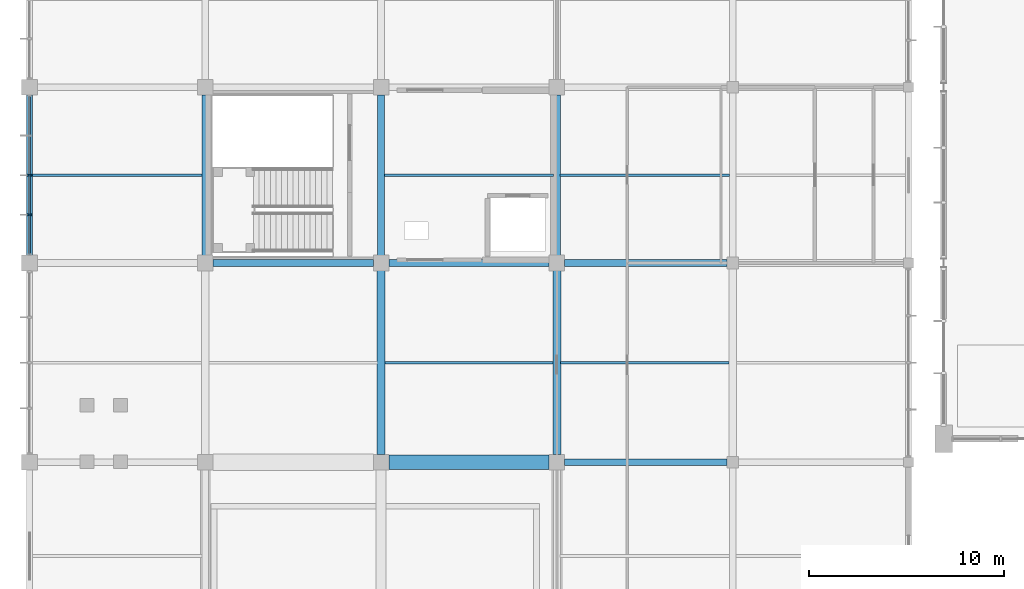
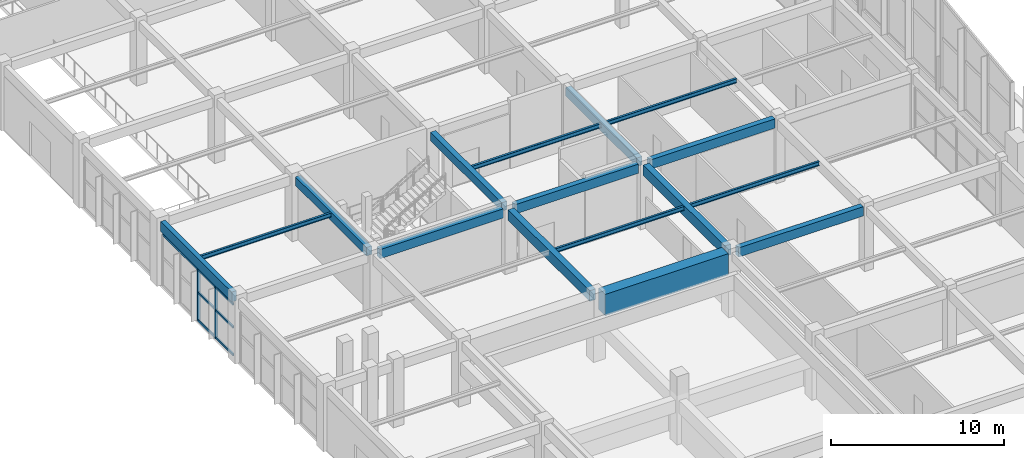
# One storey, part 19 of 82: 16 beams, 7 members, 1 element without a shape of its own.
"""IFC4 building model written with IfcOpenShell, lengths in metres."""

from ifc_helpers import new_model, si_unit, direction, frame, origin, origin_2d, place, context, subcontext, project, spatial, rectangle, i_section, extrude, material, material_profile, profile_set, type_object, element, aggregate, save


model = new_model("IFC4")

# Units and contexts
model_context = context("Model", 3, precision=1e-05, world=origin(), true_north=direction((0.0, 1.0)))
body_context = subcontext(model_context, "Body", "Model", "MODEL_VIEW")
ifc_project = project(units=[si_unit("LENGTHUNIT", "METRE"), si_unit("AREAUNIT", "SQUARE_METRE"), si_unit("VOLUMEUNIT", "CUBIC_METRE"), si_unit("PLANEANGLEUNIT", "RADIAN"), si_unit("MASSUNIT", "GRAM", prefix="KILO")], contexts=[model_context])

# Site, building, storey
site_placement = place(None, origin())
site = spatial("IfcSite", under=ifc_project, at=site_placement, CompositionType="ELEMENT")
building_placement = place(site_placement, origin())
building = spatial("IfcBuilding", under=site, at=building_placement, Name="Suirenkawa Promenade Aquatics Centre", CompositionType="ELEMENT")
storey_placement = place(building_placement, origin())
storey = spatial("IfcBuildingStorey", under=building, at=storey_placement, Name="L00", CompositionType="ELEMENT", Elevation=0.0)

# Beams
ifc_material_1 = material(Name="Steel IS 2062 E350 (Grade 350)", Category="steel")
ifc_material_profile_1 = material_profile(ifc_material_1, i_section(OverallWidth=0.139892578125, OverallDepth=0.300048828125, WebThickness=0.008056640625, FlangeThickness=0.012939453125, at=origin_2d()), Name="ISMB 300", Category="steel")
ifc_profile_set_1 = profile_set([ifc_material_profile_1], Name="Steel IS 2062 E350 (Grade 350)")
beam_type_1 = type_object("IfcBeamType", Name="BT-JOIST-ISMB300", PredefinedType="JOIST", material=ifc_profile_set_1)
beam_1_placement = place(storey_placement, frame((0.14404296875, 63.89990234375, 4.347900390625), z_axis=(1.0, 0.0, 0.0), x_axis=(0.0, 1.0, 0.0)))
element("IfcBeam", 1, at=beam_1_placement, inside=storey, type_object=beam_type_1, Name="Secondary floor joist JS-02 BM-0338", PredefinedType="JOIST", context=body_context, shape_type="SweptSolid", body=[
    extrude(i_section(OverallWidth=0.139892578125, OverallDepth=0.300048828125, WebThickness=0.008056640625, FlangeThickness=0.012939453125, at=origin_2d()), origin(), (0.0, 0.0, 1.0), 8.68701171875),
])
beam_2_placement = place(storey_placement, frame((18.194091796875, 54.300048828125, 4.347900390625), z_axis=(1.0, 0.0, 0.0), x_axis=(0.0, 1.0, 0.0)))
element("IfcBeam", 2, at=beam_2_placement, inside=storey, type_object=beam_type_1, Name="Secondary floor joist JS-02 BM-0355", PredefinedType="JOIST", context=body_context, shape_type="SweptSolid", body=[
    extrude(i_section(OverallWidth=0.139892578125, OverallDepth=0.300048828125, WebThickness=0.008056640625, FlangeThickness=0.012939453125, at=origin_2d()), origin(), (0.0, 0.0, 1.0), 8.61181640625),
])
beam_3_placement = place(storey_placement, frame((18.1689453125, 63.89990234375, 4.347900390625), z_axis=(1.0, 0.0, 0.0), x_axis=(0.0, 1.0, 0.0)))
element("IfcBeam", 3, at=beam_3_placement, inside=storey, type_object=beam_type_1, Name="Secondary floor joist JS-02 BM-0356", PredefinedType="JOIST", context=body_context, shape_type="SweptSolid", body=[
    extrude(i_section(OverallWidth=0.139892578125, OverallDepth=0.300048828125, WebThickness=0.008056640625, FlangeThickness=0.012939453125, at=origin_2d()), origin(), (0.0, 0.0, 1.0), 8.662109375),
])
beam_4_placement = place(storey_placement, frame((27.194091796875, 54.300048828125, 4.347900390625), z_axis=(1.0, 0.0, 0.0), x_axis=(0.0, 1.0, 0.0)))
element("IfcBeam", 4, at=beam_4_placement, inside=storey, type_object=beam_type_1, Name="Secondary floor joist JS-02 BM-0367", PredefinedType="JOIST", context=body_context, shape_type="SweptSolid", body=[
    extrude(i_section(OverallWidth=0.139892578125, OverallDepth=0.300048828125, WebThickness=0.008056640625, FlangeThickness=0.012939453125, at=origin_2d()), origin(), (0.0, 0.0, 1.0), 8.61181640625),
])
beam_5_placement = place(storey_placement, frame((27.1689453125, 63.89990234375, 4.347900390625), z_axis=(1.0, 0.0, 0.0), x_axis=(0.0, 1.0, 0.0)))
element("IfcBeam", 5, at=beam_5_placement, inside=storey, type_object=beam_type_1, Name="Secondary floor joist JS-02 BM-0368", PredefinedType="JOIST", context=body_context, shape_type="SweptSolid", body=[
    extrude(i_section(OverallWidth=0.139892578125, OverallDepth=0.300048828125, WebThickness=0.008056640625, FlangeThickness=0.012939453125, at=origin_2d()), origin(), (0.0, 0.0, 1.0), 8.662109375),
])
ifc_material_2 = material(Name="Concrete M35", Category="concrete")
ifc_material_profile_2 = material_profile(ifc_material_2, rectangle(XDim=0.35009765625, YDim=0.60009765625, at=origin_2d()), Name="RC BM 350x600", Category="concrete")
ifc_profile_set_2 = profile_set([ifc_material_profile_2], Name="Concrete M35")
beam_type_2 = type_object("IfcBeamType", Name="BT-RC-350x600", PredefinedType="BEAM", material=ifc_profile_set_2)
for number, where, z_axis, x_axis, name in (
    (6, (9.0, 59.7939453125, 4.199951171875), (0.0, 1.0, 0.0), (-1.0, 0.0, 0.0), "Floor beam BM-02 BM-0280"),
    (7, (18.0, 59.7939453125, 4.199951171875), (0.0, 1.0, 0.0), (-1.0, 0.0, 0.0), "Floor beam BM-02 BM-0290"),
    (8, (27.0, 59.7939453125, 4.199951171875), (0.0, 1.0, 0.0), (-1.0, 0.0, 0.0), "Floor beam BM-02 BM-0302"),
):
    element("IfcBeam", number, at=place(storey_placement, frame(where, z_axis=z_axis, x_axis=x_axis)), inside=storey, type_object=beam_type_2, Name=name, PredefinedType="BEAM", context=body_context, shape_type="SweptSolid", body=[
        extrude(rectangle(XDim=0.35009765625, YDim=0.60009765625, at=origin_2d()), origin(), (0.0, 0.0, 1.0), 8.212158203125),
    ])
ifc_material_profile_3 = material_profile(ifc_material_2, rectangle(XDim=0.35009765625, YDim=0.64990234375, at=origin_2d()), Name="RC BM 350x650", Category="concrete")
ifc_profile_set_3 = profile_set([ifc_material_profile_3], Name="Concrete M35")
beam_type_3 = type_object("IfcBeamType", Name="BT-RC-350x650", PredefinedType="BEAM", material=ifc_profile_set_3)
beam_6_placement = place(storey_placement, frame((27.39404296875, 49.199951171875, 4.175048828125), z_axis=(1.0, 0.0, 0.0), x_axis=(0.0, 1.0, 0.0)))
element("IfcBeam", 9, at=beam_6_placement, inside=storey, type_object=beam_type_3, Name="Floor beam BM-03 BM-0225", PredefinedType="BEAM", context=body_context, shape_type="SweptSolid", body=[
    extrude(rectangle(XDim=0.35009765625, YDim=0.64990234375, at=origin_2d()), origin(), (0.0, 0.0, 1.0), 8.31201171875),
])
for number, where, z_axis, x_axis, name in (
    (10, (9.39404296875, 59.39990234375, 4.175048828125), (1.0, 0.0, 0.0), (0.0, 1.0, 0.0), "Floor beam BM-03 BM-0228"),
    (11, (18.39404296875, 59.39990234375, 4.175048828125), (1.0, 0.0, 0.0), (0.0, 1.0, 0.0), "Floor beam BM-03 BM-0229"),
):
    element("IfcBeam", number, at=place(storey_placement, frame(where, z_axis=z_axis, x_axis=x_axis)), inside=storey, type_object=beam_type_3, Name=name, PredefinedType="BEAM", context=body_context, shape_type="SweptSolid", body=[
        extrude(rectangle(XDim=0.35009765625, YDim=0.64990234375, at=origin_2d()), origin(), (0.0, 0.0, 1.0), 8.2119140625),
    ])
beam_7_placement = place(storey_placement, frame((27.39404296875, 59.39990234375, 4.175048828125), z_axis=(1.0, 0.0, 0.0), x_axis=(0.0, 1.0, 0.0)))
element("IfcBeam", 12, at=beam_7_placement, inside=storey, type_object=beam_type_3, Name="Floor beam BM-03 BM-0230", PredefinedType="BEAM", context=body_context, shape_type="SweptSolid", body=[
    extrude(rectangle(XDim=0.35009765625, YDim=0.64990234375, at=origin_2d()), origin(), (0.0, 0.0, 1.0), 8.31201171875),
])
ifc_material_3 = material(Name="Concrete M40", Category="concrete")
ifc_material_profile_4 = material_profile(ifc_material_3, rectangle(XDim=0.39990234375, YDim=0.75, at=origin_2d()), Name="RC BM 400x750", Category="concrete")
ifc_profile_set_4 = profile_set([ifc_material_profile_4], Name="Concrete M40")
beam_type_4 = type_object("IfcBeamType", Name="BT-RC-400x750", PredefinedType="BEAM", material=ifc_profile_set_4)
for number, where, z_axis, x_axis, name in (
    (13, (18.0, 49.593994140625, 4.125), (0.0, 1.0, 0.0), (-1.0, 0.0, 0.0), "Floor beam BM-05 BM-0289"),
    (14, (27.0, 49.593994140625, 4.125), (0.0, 1.0, 0.0), (-1.0, 0.0, 0.0), "Floor beam BM-05 BM-0301"),
):
    element("IfcBeam", number, at=place(storey_placement, frame(where, z_axis=z_axis, x_axis=x_axis)), inside=storey, type_object=beam_type_4, Name=name, PredefinedType="BEAM", context=body_context, shape_type="SweptSolid", body=[
        extrude(rectangle(XDim=0.39990234375, YDim=0.75, at=origin_2d()), origin(), (0.0, 0.0, 1.0), 9.412109375),
    ])
ifc_material_profile_5 = material_profile(ifc_material_3, rectangle(XDim=0.300048828125, YDim=0.699951171875, at=origin_2d()), Name="RC SPANDREL 300x700", Category="concrete")
ifc_profile_set_5 = profile_set([ifc_material_profile_5], Name="Concrete M40")
beam_type_5 = type_object("IfcBeamType", Name="BT-SPANDREL-300x700", PredefinedType="SPANDREL", material=ifc_profile_set_5)
beam_8_placement = place(storey_placement, frame((0.0, 59.7939453125, 4.14990234375), z_axis=(0.0, 1.0, 0.0), x_axis=(-1.0, 0.0, 0.0)))
element("IfcBeam", 15, at=beam_8_placement, inside=storey, type_object=beam_type_5, Name="Floor beam SP-01 BM-0268", PredefinedType="SPANDREL", context=body_context, shape_type="SweptSolid", body=[
    extrude(rectangle(XDim=0.300048828125, YDim=0.699951171875, at=origin_2d()), origin(), (0.0, 0.0, 1.0), 8.212158203125),
])
ifc_material_profile_6 = material_profile(ifc_material_3, rectangle(XDim=0.75, YDim=1.5, at=origin_2d()), Name="RC TRANSFER 750x1500", Category="concrete")
ifc_profile_set_6 = profile_set([ifc_material_profile_6], Name="Concrete M40")
beam_type_6 = type_object("IfcBeamType", Name="BT-TRANSFER-750x1500", PredefinedType="BEAM", material=ifc_profile_set_6)
beam_9_placement = place(storey_placement, frame((18.39404296875, 49.199951171875, 3.75), z_axis=(1.0, 0.0, 0.0), x_axis=(0.0, 1.0, 0.0)))
element("IfcBeam", 16, at=beam_9_placement, inside=storey, type_object=beam_type_6, Name="Floor beam TG-01 BM-0224", PredefinedType="BEAM", context=body_context, shape_type="SweptSolid", body=[
    extrude(rectangle(XDim=0.75, YDim=1.5, at=origin_2d()), origin(), (0.0, 0.0, 1.0), 8.2119140625),
])

# Curtain wall, members
ifc_material_4 = material(Name="Anodised aluminium 6063-T6", Category="aluminium")
curtain_wall_type = type_object("IfcCurtainWallType", Name="CWAT-V5WL00-42", PredefinedType="NOTDEFINED", material=ifc_material_4)
curtain_wall_placement = place(storey_placement, origin())
curtain_wall = element("IfcCurtainWall", 17, at=curtain_wall_placement, inside=storey, type_object=curtain_wall_type, Name="Curtain wall CWA-42 CW-092", PredefinedType="NOTDEFINED")
ifc_material_profile_7 = material_profile(ifc_material_4, rectangle(XDim=0.094970703125, YDim=0.18994140625, at=origin_2d()), Name="ALU MULL 95x190", Category="aluminium")
ifc_profile_set_7 = profile_set([ifc_material_profile_7], Name="Anodised aluminium 6063-T6")
member_type_1 = type_object("IfcMemberType", Name="CWM-190x95", PredefinedType="MULLION", material=ifc_profile_set_7)
member_1_placement = place(storey_placement, frame((0.0, 61.87451171875, 0.0), z_axis=(0.0, 0.0, 1.0), x_axis=(0.0, 1.0, 0.0)))
member_1 = element("IfcMember", 18, at=member_1_placement, type_object=member_type_1, Name="Mullion ML-02 CWM-01819", PredefinedType="MULLION", context=body_context, shape_type="SweptSolid", body=[
    extrude(rectangle(XDim=0.094970703125, YDim=0.18994140625, at=origin_2d()), origin(), (0.0, 0.0, 1.0), 3.570068359375),
])
member_2_placement = place(storey_placement, frame((0.0, 63.89990234375, 0.0), z_axis=(0.0, 0.0, 1.0), x_axis=(0.0, 1.0, 0.0)))
member_2 = element("IfcMember", 19, at=member_2_placement, type_object=member_type_1, Name="Mullion ML-02 CWM-01820", PredefinedType="MULLION", context=body_context, shape_type="SweptSolid", body=[
    extrude(rectangle(XDim=0.094970703125, YDim=0.18994140625, at=origin_2d()), origin(), (0.0, 0.0, 1.0), 3.570068359375),
])
ifc_material_profile_8 = material_profile(ifc_material_4, rectangle(XDim=0.094970703125, YDim=0.14990234375, at=origin_2d()), Name="ALU TRAN 95x150", Category="aluminium")
ifc_profile_set_8 = profile_set([ifc_material_profile_8], Name="Anodised aluminium 6063-T6")
member_type_2 = type_object("IfcMemberType", Name="CWT-150x95", PredefinedType="USERDEFINED", material=ifc_profile_set_8)
member_3_placement = place(storey_placement, frame((0.0, 59.84912109375, 0.0), z_axis=(0.0, 1.0, 0.0), x_axis=(-1.0, 0.0, 0.0)))
member_3 = element("IfcMember", 20, at=member_3_placement, type_object=member_type_2, Name="Transom TR-02 CWT-01823", ObjectType="TRANSOM", PredefinedType="USERDEFINED", context=body_context, shape_type="SweptSolid", body=[
    extrude(rectangle(XDim=0.094970703125, YDim=0.14990234375, at=origin_2d()), origin(), (0.0, 0.0, 1.0), 2.025390625),
])
member_4_placement = place(storey_placement, frame((0.0, 61.87451171875, 0.0), z_axis=(0.0, 1.0, 0.0), x_axis=(-1.0, 0.0, 0.0)))
member_4 = element("IfcMember", 21, at=member_4_placement, type_object=member_type_2, Name="Transom TR-02 CWT-01824", ObjectType="TRANSOM", PredefinedType="USERDEFINED", context=body_context, shape_type="SweptSolid", body=[
    extrude(rectangle(XDim=0.094970703125, YDim=0.14990234375, at=origin_2d()), origin(), (0.0, 0.0, 1.0), 2.025390625),
])
member_5_placement = place(storey_placement, frame((0.0, 59.84912109375, 1.949951171875), z_axis=(0.0, 1.0, 0.0), x_axis=(-1.0, 0.0, 0.0)))
member_5 = element("IfcMember", 22, at=member_5_placement, type_object=member_type_2, Name="Transom TR-02 CWT-01827", ObjectType="TRANSOM", PredefinedType="USERDEFINED", context=body_context, shape_type="SweptSolid", body=[
    extrude(rectangle(XDim=0.094970703125, YDim=0.14990234375, at=origin_2d()), origin(), (0.0, 0.0, 1.0), 2.025390625),
])
member_6_placement = place(storey_placement, frame((0.0, 61.87451171875, 1.949951171875), z_axis=(0.0, 1.0, 0.0), x_axis=(-1.0, 0.0, 0.0)))
member_6 = element("IfcMember", 23, at=member_6_placement, type_object=member_type_2, Name="Transom TR-02 CWT-01828", ObjectType="TRANSOM", PredefinedType="USERDEFINED", context=body_context, shape_type="SweptSolid", body=[
    extrude(rectangle(XDim=0.094970703125, YDim=0.14990234375, at=origin_2d()), origin(), (0.0, 0.0, 1.0), 2.025390625),
])
member_7_placement = place(storey_placement, frame((0.0, 59.84912109375, 3.570068359375), z_axis=(0.0, 1.0, 0.0), x_axis=(-1.0, 0.0, 0.0)))
member_7 = element("IfcMember", 24, at=member_7_placement, type_object=member_type_2, Name="Roofline transom TR-02 CWT-01831", ObjectType="TRANSOM", PredefinedType="USERDEFINED", context=body_context, shape_type="SweptSolid", body=[
    extrude(rectangle(XDim=0.094970703125, YDim=0.14990234375, at=origin_2d()), origin(), (0.0, 0.0, 1.0), 8.101806640625),
])
aggregate(curtain_wall, [member_1, member_2, member_3, member_4, member_5, member_6, member_7])

save(model, "model.ifc")
